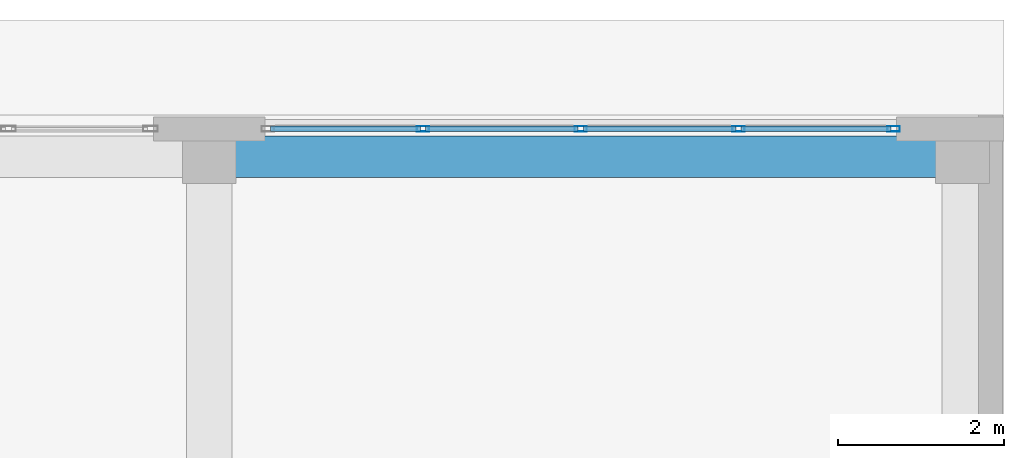
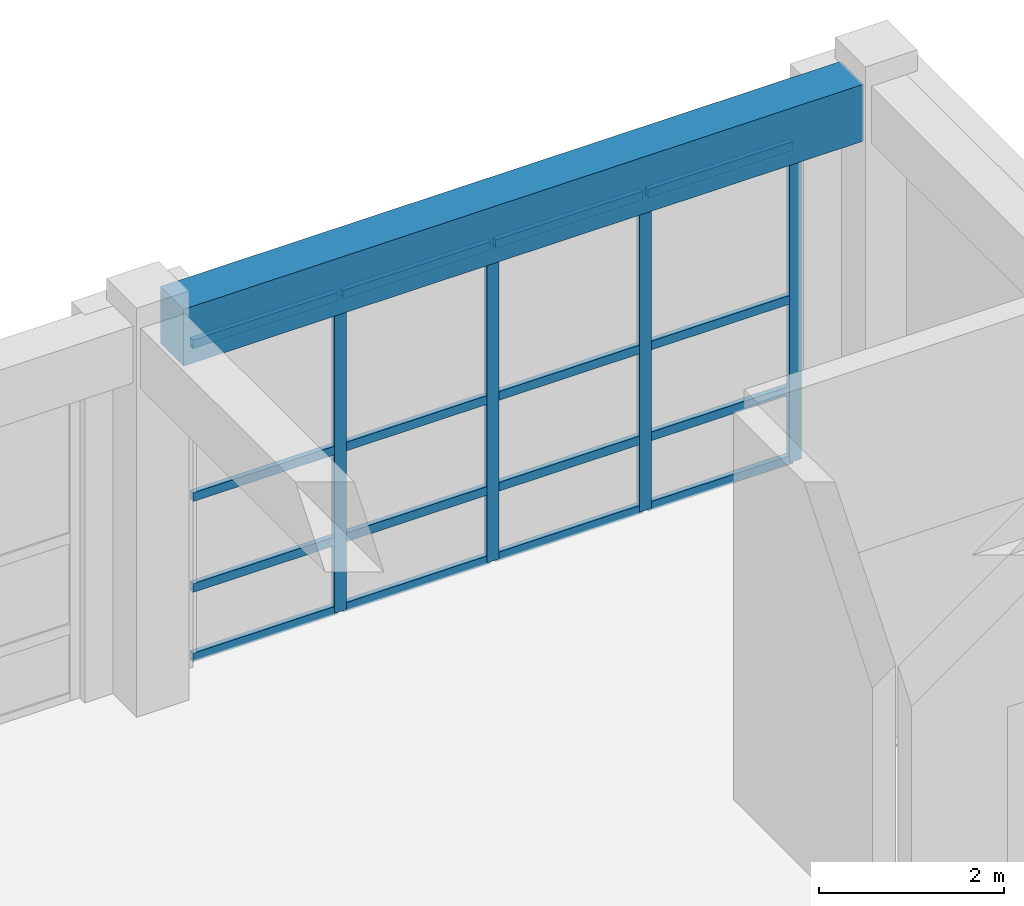
# One storey, part 107 of 148: 20 members, 1 beam, 1 element without a shape of its own.
"""IFC4 building model written with IfcOpenShell, lengths in metres."""

from ifc_helpers import new_model, si_unit, direction, frame, origin, origin_2d, place, context, subcontext, project, spatial, rectangle, hollow_rectangle, extrude, material, layer, layer_set, material_profile, profile_set, type_object, element, aggregate, save


model = new_model("IFC4")

# Units and contexts
model_context = context("Model", 3, precision=1e-05, world=origin(), true_north=direction((0.0, 1.0)))
body_context = subcontext(model_context, "Body", "Model", "MODEL_VIEW")
ifc_project = project(units=[si_unit("LENGTHUNIT", "METRE"), si_unit("AREAUNIT", "SQUARE_METRE"), si_unit("VOLUMEUNIT", "CUBIC_METRE"), si_unit("PLANEANGLEUNIT", "RADIAN"), si_unit("MASSUNIT", "GRAM", prefix="KILO")], contexts=[model_context])

# Site, building, storey
site_placement = place(None, origin())
site = spatial("IfcSite", under=ifc_project, at=site_placement, CompositionType="ELEMENT")
building_placement = place(site_placement, origin())
building = spatial("IfcBuilding", under=site, at=building_placement, Name="Quendrovan Civic Courthouse", CompositionType="ELEMENT")
storey_placement = place(building_placement, origin())
storey = spatial("IfcBuildingStorey", under=building, at=storey_placement, Name="L01", CompositionType="ELEMENT", Elevation=0.0)

# Beam
ifc_material_1 = material(Name="Concrete C40/50", Category="concrete")
ifc_material_profile_1 = material_profile(ifc_material_1, rectangle(XDim=0.5, YDim=0.75, at=origin_2d()), Name="RC-BM-500x750")
ifc_profile_set_1 = profile_set([ifc_material_profile_1], Name="Concrete C40/50")
beam_type = type_object("IfcBeamType", Name="BM-RC750", PredefinedType="SPANDREL", material=ifc_profile_set_1)
beam_placement = place(storey_placement, frame((151.5048828125, 109.89990234375, 4.7451171875), z_axis=(1.0, 0.0, 0.0), x_axis=(0.0, 1.0, 0.0)))
element("IfcBeam", 1, at=beam_placement, inside=storey, type_object=beam_type, Name="L01 Girder X0369", PredefinedType="SPANDREL", context=body_context, shape_type="SweptSolid", body=[
    extrude(rectangle(XDim=0.5, YDim=0.75, at=origin_2d()), origin(), (0.0, 0.0, 1.0), 8.490234375),
])

# Curtain wall, members
ifc_material_2 = material(Name="Bronze anodised aluminium and low-E glass", Category="aluminium")
ifc_layer = layer(ifc_material_2, 0.179931640625, Name="Bronze anodised aluminium and low-E glass")
ifc_layer_set = layer_set([ifc_layer], Name="Bronze anodised aluminium and low-E glass")
curtain_wall_type = type_object("IfcCurtainWallType", Name="CW-U76x42", PredefinedType="USERDEFINED", material=ifc_layer_set)
curtain_wall_placement = place(storey_placement, origin())
curtain_wall = element("IfcCurtainWall", 2, at=curtain_wall_placement, inside=storey, type_object=curtain_wall_type, Name="L01 Unitised Hurricane Curtain Wall CW-041", ObjectType="UNITISED CURTAIN WALL", PredefinedType="USERDEFINED")
ifc_material_3 = material(Name="Bronze anodised aluminium", Category="aluminium")
ifc_material_profile_2 = material_profile(ifc_material_3, hollow_rectangle(XDim=0.06494140625, YDim=0.14990234375, WallThickness=0.00390625, at=origin_2d()), Name="CW-MULL-65x150")
ifc_profile_set_2 = profile_set([ifc_material_profile_2], Name="Bronze anodised aluminium")
member_type_1 = type_object("IfcMemberType", Name="CW-MULL-B", PredefinedType="MULLION", material=ifc_profile_set_2)
member_1_placement = place(storey_placement, frame((153.78125, 110.235107421875, 0.0), z_axis=(0.0, 0.0, 1.0), x_axis=(0.0, 1.0, 0.0)))
member_1 = element("IfcMember", 3, at=member_1_placement, type_object=member_type_1, Name="CW-041 mullion 2", PredefinedType="MULLION", context=body_context, shape_type="SweptSolid", body=[
    extrude(hollow_rectangle(XDim=0.06494140625, YDim=0.14990234375, WallThickness=0.00390625, at=origin_2d()), origin(), (0.0, 0.0, 1.0), 4.199951171875),
])
member_2_placement = place(storey_placement, frame((155.6875, 110.235107421875, 0.0), z_axis=(0.0, 0.0, 1.0), x_axis=(0.0, 1.0, 0.0)))
member_2 = element("IfcMember", 4, at=member_2_placement, type_object=member_type_1, Name="CW-041 mullion 3", PredefinedType="MULLION", context=body_context, shape_type="SweptSolid", body=[
    extrude(hollow_rectangle(XDim=0.06494140625, YDim=0.14990234375, WallThickness=0.00390625, at=origin_2d()), origin(), (0.0, 0.0, 1.0), 4.199951171875),
])
member_3_placement = place(storey_placement, frame((157.59375, 110.235107421875, 0.0), z_axis=(0.0, 0.0, 1.0), x_axis=(0.0, 1.0, 0.0)))
member_3 = element("IfcMember", 5, at=member_3_placement, type_object=member_type_1, Name="CW-041 mullion 4", PredefinedType="MULLION", context=body_context, shape_type="SweptSolid", body=[
    extrude(hollow_rectangle(XDim=0.06494140625, YDim=0.14990234375, WallThickness=0.00390625, at=origin_2d()), origin(), (0.0, 0.0, 1.0), 4.199951171875),
])
member_4_placement = place(storey_placement, frame((159.467529296875, 110.235107421875, 0.0), z_axis=(0.0, 0.0, 1.0), x_axis=(0.0, 1.0, 0.0)))
member_4 = element("IfcMember", 6, at=member_4_placement, type_object=member_type_1, Name="CW-041 mullion 5", PredefinedType="MULLION", context=body_context, shape_type="SweptSolid", body=[
    extrude(hollow_rectangle(XDim=0.06494140625, YDim=0.14990234375, WallThickness=0.00390625, at=origin_2d()), origin(), (0.0, 0.0, 1.0), 4.199951171875),
])
ifc_material_profile_3 = material_profile(ifc_material_3, hollow_rectangle(XDim=0.06494140625, YDim=0.114990234375, WallThickness=0.00390625, at=origin_2d()), Name="CW-TRAN-65x115")
ifc_profile_set_3 = profile_set([ifc_material_profile_3], Name="Bronze anodised aluminium")
member_type_2 = type_object("IfcMemberType", Name="CW-TRAN-B", PredefinedType="USERDEFINED", material=ifc_profile_set_3)
member_5_placement = place(storey_placement, frame((151.93994140625, 110.235107421875, 0.032470703125), z_axis=(1.0, 0.0, 0.0), x_axis=(0.0, 1.0, 0.0)))
member_5 = element("IfcMember", 7, at=member_5_placement, type_object=member_type_2, Name="CW-041 transom 1.1", ObjectType="TRANSOM", PredefinedType="USERDEFINED", context=body_context, shape_type="SweptSolid", body=[
    extrude(hollow_rectangle(XDim=0.06494140625, YDim=0.114990234375, WallThickness=0.00390625, at=origin_2d()), origin(), (0.0, 0.0, 1.0), 1.808837890625),
])
member_6_placement = place(storey_placement, frame((151.93994140625, 110.235107421875, 0.949951171875), z_axis=(1.0, 0.0, 0.0), x_axis=(0.0, 1.0, 0.0)))
member_6 = element("IfcMember", 8, at=member_6_placement, type_object=member_type_2, Name="CW-041 transom 1.2", ObjectType="TRANSOM", PredefinedType="USERDEFINED", context=body_context, shape_type="SweptSolid", body=[
    extrude(hollow_rectangle(XDim=0.06494140625, YDim=0.114990234375, WallThickness=0.00390625, at=origin_2d()), origin(), (0.0, 0.0, 1.0), 1.808837890625),
])
member_7_placement = place(storey_placement, frame((151.93994140625, 110.235107421875, 2.14990234375), z_axis=(1.0, 0.0, 0.0), x_axis=(0.0, 1.0, 0.0)))
member_7 = element("IfcMember", 9, at=member_7_placement, type_object=member_type_2, Name="CW-041 transom 1.3", ObjectType="TRANSOM", PredefinedType="USERDEFINED", context=body_context, shape_type="SweptSolid", body=[
    extrude(hollow_rectangle(XDim=0.06494140625, YDim=0.114990234375, WallThickness=0.00390625, at=origin_2d()), origin(), (0.0, 0.0, 1.0), 1.808837890625),
])
member_8_placement = place(storey_placement, frame((151.93994140625, 110.235107421875, 4.16748046875), z_axis=(1.0, 0.0, 0.0), x_axis=(0.0, 1.0, 0.0)))
member_8 = element("IfcMember", 10, at=member_8_placement, type_object=member_type_2, Name="CW-041 transom 1.4", ObjectType="TRANSOM", PredefinedType="USERDEFINED", context=body_context, shape_type="SweptSolid", body=[
    extrude(hollow_rectangle(XDim=0.06494140625, YDim=0.114990234375, WallThickness=0.00390625, at=origin_2d()), origin(), (0.0, 0.0, 1.0), 1.808837890625),
])
member_9_placement = place(storey_placement, frame((153.813720703125, 110.235107421875, 0.032470703125), z_axis=(1.0, 0.0, 0.0), x_axis=(0.0, 1.0, 0.0)))
member_9 = element("IfcMember", 11, at=member_9_placement, type_object=member_type_2, Name="CW-041 transom 2.1", ObjectType="TRANSOM", PredefinedType="USERDEFINED", context=body_context, shape_type="SweptSolid", body=[
    extrude(hollow_rectangle(XDim=0.06494140625, YDim=0.114990234375, WallThickness=0.00390625, at=origin_2d()), origin(), (0.0, 0.0, 1.0), 1.84130859375),
])
member_10_placement = place(storey_placement, frame((153.813720703125, 110.235107421875, 0.949951171875), z_axis=(1.0, 0.0, 0.0), x_axis=(0.0, 1.0, 0.0)))
member_10 = element("IfcMember", 12, at=member_10_placement, type_object=member_type_2, Name="CW-041 transom 2.2", ObjectType="TRANSOM", PredefinedType="USERDEFINED", context=body_context, shape_type="SweptSolid", body=[
    extrude(hollow_rectangle(XDim=0.06494140625, YDim=0.114990234375, WallThickness=0.00390625, at=origin_2d()), origin(), (0.0, 0.0, 1.0), 1.84130859375),
])
member_11_placement = place(storey_placement, frame((153.813720703125, 110.235107421875, 2.14990234375), z_axis=(1.0, 0.0, 0.0), x_axis=(0.0, 1.0, 0.0)))
member_11 = element("IfcMember", 13, at=member_11_placement, type_object=member_type_2, Name="CW-041 transom 2.3", ObjectType="TRANSOM", PredefinedType="USERDEFINED", context=body_context, shape_type="SweptSolid", body=[
    extrude(hollow_rectangle(XDim=0.06494140625, YDim=0.114990234375, WallThickness=0.00390625, at=origin_2d()), origin(), (0.0, 0.0, 1.0), 1.84130859375),
])
member_12_placement = place(storey_placement, frame((153.813720703125, 110.235107421875, 4.16748046875), z_axis=(1.0, 0.0, 0.0), x_axis=(0.0, 1.0, 0.0)))
member_12 = element("IfcMember", 14, at=member_12_placement, type_object=member_type_2, Name="CW-041 transom 2.4", ObjectType="TRANSOM", PredefinedType="USERDEFINED", context=body_context, shape_type="SweptSolid", body=[
    extrude(hollow_rectangle(XDim=0.06494140625, YDim=0.114990234375, WallThickness=0.00390625, at=origin_2d()), origin(), (0.0, 0.0, 1.0), 1.84130859375),
])
member_13_placement = place(storey_placement, frame((155.719970703125, 110.235107421875, 0.032470703125), z_axis=(1.0, 0.0, 0.0), x_axis=(0.0, 1.0, 0.0)))
member_13 = element("IfcMember", 15, at=member_13_placement, type_object=member_type_2, Name="CW-041 transom 3.1", ObjectType="TRANSOM", PredefinedType="USERDEFINED", context=body_context, shape_type="SweptSolid", body=[
    extrude(hollow_rectangle(XDim=0.06494140625, YDim=0.114990234375, WallThickness=0.00390625, at=origin_2d()), origin(), (0.0, 0.0, 1.0), 1.84130859375),
])
member_14_placement = place(storey_placement, frame((155.719970703125, 110.235107421875, 0.949951171875), z_axis=(1.0, 0.0, 0.0), x_axis=(0.0, 1.0, 0.0)))
member_14 = element("IfcMember", 16, at=member_14_placement, type_object=member_type_2, Name="CW-041 transom 3.2", ObjectType="TRANSOM", PredefinedType="USERDEFINED", context=body_context, shape_type="SweptSolid", body=[
    extrude(hollow_rectangle(XDim=0.06494140625, YDim=0.114990234375, WallThickness=0.00390625, at=origin_2d()), origin(), (0.0, 0.0, 1.0), 1.84130859375),
])
member_15_placement = place(storey_placement, frame((155.719970703125, 110.235107421875, 2.14990234375), z_axis=(1.0, 0.0, 0.0), x_axis=(0.0, 1.0, 0.0)))
member_15 = element("IfcMember", 17, at=member_15_placement, type_object=member_type_2, Name="CW-041 transom 3.3", ObjectType="TRANSOM", PredefinedType="USERDEFINED", context=body_context, shape_type="SweptSolid", body=[
    extrude(hollow_rectangle(XDim=0.06494140625, YDim=0.114990234375, WallThickness=0.00390625, at=origin_2d()), origin(), (0.0, 0.0, 1.0), 1.84130859375),
])
member_16_placement = place(storey_placement, frame((155.719970703125, 110.235107421875, 4.16748046875), z_axis=(1.0, 0.0, 0.0), x_axis=(0.0, 1.0, 0.0)))
member_16 = element("IfcMember", 18, at=member_16_placement, type_object=member_type_2, Name="CW-041 transom 3.4", ObjectType="TRANSOM", PredefinedType="USERDEFINED", context=body_context, shape_type="SweptSolid", body=[
    extrude(hollow_rectangle(XDim=0.06494140625, YDim=0.114990234375, WallThickness=0.00390625, at=origin_2d()), origin(), (0.0, 0.0, 1.0), 1.84130859375),
])
member_17_placement = place(storey_placement, frame((157.626220703125, 110.235107421875, 0.032470703125), z_axis=(1.0, 0.0, 0.0), x_axis=(0.0, 1.0, 0.0)))
member_17 = element("IfcMember", 19, at=member_17_placement, type_object=member_type_2, Name="CW-041 transom 4.1", ObjectType="TRANSOM", PredefinedType="USERDEFINED", context=body_context, shape_type="SweptSolid", body=[
    extrude(hollow_rectangle(XDim=0.06494140625, YDim=0.114990234375, WallThickness=0.00390625, at=origin_2d()), origin(), (0.0, 0.0, 1.0), 1.808837890625),
])
member_18_placement = place(storey_placement, frame((157.626220703125, 110.235107421875, 0.949951171875), z_axis=(1.0, 0.0, 0.0), x_axis=(0.0, 1.0, 0.0)))
member_18 = element("IfcMember", 20, at=member_18_placement, type_object=member_type_2, Name="CW-041 transom 4.2", ObjectType="TRANSOM", PredefinedType="USERDEFINED", context=body_context, shape_type="SweptSolid", body=[
    extrude(hollow_rectangle(XDim=0.06494140625, YDim=0.114990234375, WallThickness=0.00390625, at=origin_2d()), origin(), (0.0, 0.0, 1.0), 1.808837890625),
])
member_19_placement = place(storey_placement, frame((157.626220703125, 110.235107421875, 2.14990234375), z_axis=(1.0, 0.0, 0.0), x_axis=(0.0, 1.0, 0.0)))
member_19 = element("IfcMember", 21, at=member_19_placement, type_object=member_type_2, Name="CW-041 transom 4.3", ObjectType="TRANSOM", PredefinedType="USERDEFINED", context=body_context, shape_type="SweptSolid", body=[
    extrude(hollow_rectangle(XDim=0.06494140625, YDim=0.114990234375, WallThickness=0.00390625, at=origin_2d()), origin(), (0.0, 0.0, 1.0), 1.808837890625),
])
member_20_placement = place(storey_placement, frame((157.626220703125, 110.235107421875, 4.16748046875), z_axis=(1.0, 0.0, 0.0), x_axis=(0.0, 1.0, 0.0)))
member_20 = element("IfcMember", 22, at=member_20_placement, type_object=member_type_2, Name="CW-041 transom 4.4", ObjectType="TRANSOM", PredefinedType="USERDEFINED", context=body_context, shape_type="SweptSolid", body=[
    extrude(hollow_rectangle(XDim=0.06494140625, YDim=0.114990234375, WallThickness=0.00390625, at=origin_2d()), origin(), (0.0, 0.0, 1.0), 1.808837890625),
])
aggregate(curtain_wall, [member_1, member_2, member_3, member_4, member_5, member_6, member_7, member_8, member_9, member_10, member_11, member_12, member_13, member_14, member_15, member_16, member_17, member_18, member_19, member_20])

save(model, "model.ifc")
